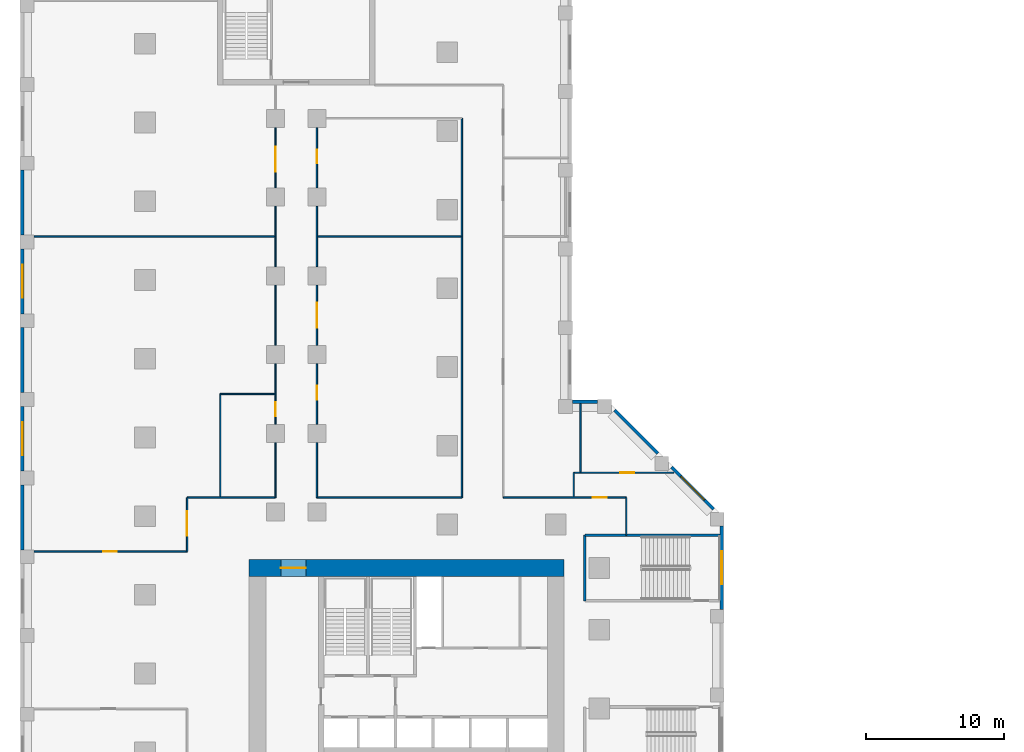
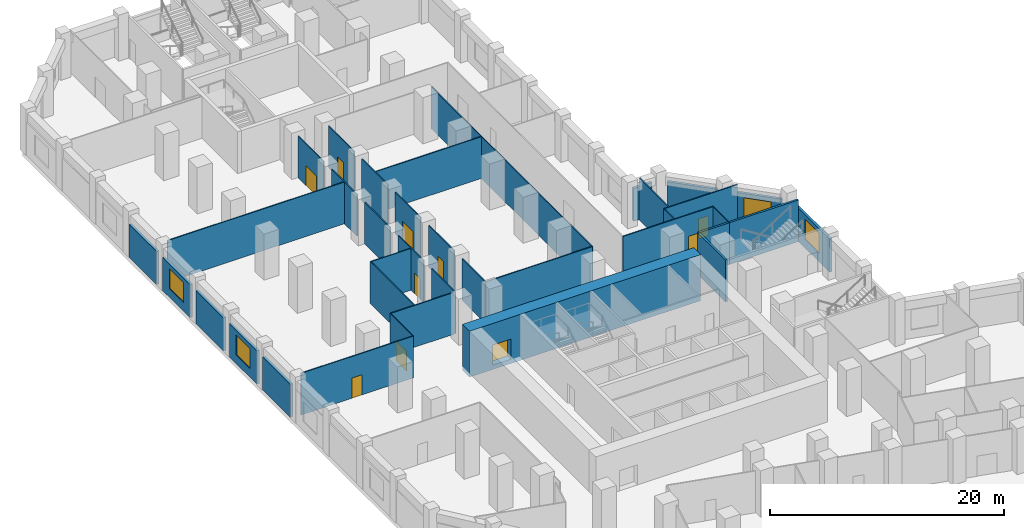
# One storey, part 8 of 15: 37 walls, 10 doors, 4 windows, 14 openings.
"""IFC4 building model written with IfcOpenShell, lengths in metres."""

from ifc_helpers import new_model, si_unit, direction, frame, frame_2d, origin, place, context, subcontext, project, spatial, rectangle, extrude, material, layer, layer_set, type_object, element, fill, save


model = new_model("IFC4")

# Units and contexts
model_context = context("Model", 3, precision=1e-05, world=origin(), true_north=direction((0.0, 1.0)))
body_context = subcontext(model_context, "Body", "Model", "MODEL_VIEW")
ifc_project = project(units=[si_unit("LENGTHUNIT", "METRE"), si_unit("AREAUNIT", "SQUARE_METRE"), si_unit("VOLUMEUNIT", "CUBIC_METRE"), si_unit("PLANEANGLEUNIT", "RADIAN"), si_unit("MASSUNIT", "GRAM", prefix="KILO")], contexts=[model_context])

# Site, building, storey
site_placement = place(None, origin())
site = spatial("IfcSite", under=ifc_project, at=site_placement, CompositionType="ELEMENT")
building_placement = place(site_placement, origin())
building = spatial("IfcBuilding", under=site, at=building_placement, Name="Meshkara Civic Tower", CompositionType="ELEMENT")
storey_placement = place(building_placement, frame((0.0, 0.0, 23.39990234375)))
storey = spatial("IfcBuildingStorey", under=building, at=storey_placement, Name="L04", CompositionType="ELEMENT", Elevation=23.39990234375)

# Wall, opening, door
ifc_material_1 = material(Name="Concrete C80", Category="concrete")
ifc_layer_1 = layer(ifc_material_1, 1.199951171875)
ifc_layer_set_1 = layer_set([ifc_layer_1], Name="Core ring wall 1200 C80")
wall_type_1 = type_object("IfcWallType", Name="Core ring wall 1200 C80", PredefinedType="SHEAR", material=ifc_layer_set_1)
wall_1_placement = place(storey_placement, frame((8.0, 36.300048828125, -0.449951171875), z_axis=(0.0, 0.0, 1.0), x_axis=(1.0, 0.0, 0.0)))
wall_1 = element("IfcWall", 1, at=wall_1_placement, inside=storey, type_object=wall_type_1, Name="L04-C002", PredefinedType="SHEAR", context=body_context, shape_type="SweptSolid", body=[
    extrude(rectangle(XDim=22.800048828125, YDim=1.199951171875, at=frame_2d((11.39990234375, 0.0))), origin(), (0.0, 0.0, 1.0), 4.800048828125),
])
opening_1_placement = place(wall_1_placement, frame((2.300048828125, 0.0, 0.449951171875)))
opening_1 = element("IfcOpeningElement", 2, at=opening_1_placement, cuts=wall_1, Name="Opening L04-K019", PredefinedType="OPENING", context=body_context, shape_type="SweptSolid", body=[
    extrude(rectangle(XDim=1.800048828125, YDim=2.10009765625, at=frame_2d((0.89990234375, 1.050048828125))), frame((0.0, 0.60986328125, 0.0), z_axis=(0.0, -1.0, 0.0), x_axis=(1.0, 0.0, 0.0)), (0.0, 0.0, 1.0), 1.219970703125),
])
ifc_material_2 = material(Name="Fire-rated door leaf in steel frame", Category="steel")
door_type_1 = type_object("IfcDoorType", Name="Core double door 1800 EI 60", OperationType="DOUBLE_DOOR_SINGLE_SWING", PredefinedType="DOOR", material=ifc_material_2)
door_1_placement = place(opening_1_placement, origin())
door_1 = element("IfcDoor", 3, at=door_1_placement, inside=storey, type_object=door_type_1, Name="L04-K019", OperationType="DOUBLE_DOOR_SINGLE_SWING", OverallHeight=2.10009765625, OverallWidth=1.800048828125, PredefinedType="DOOR", context=body_context, shape_type="SweptSolid", body=[
    extrude(rectangle(XDim=1.800048828125, YDim=2.10009765625, at=frame_2d((0.89990234375, 1.050048828125))), frame((0.0, 0.02490234375, 0.0), z_axis=(0.0, -1.0, 0.0), x_axis=(1.0, 0.0, 0.0)), (0.0, 0.0, 1.0), 0.050048828125),
])
fill(opening_1, door_1)

ifc_material_3 = material(Name="Corridor wall 100")
ifc_layer_2 = layer(ifc_material_3, 0.10009765625)
ifc_layer_set_2 = layer_set([ifc_layer_2], Name="Corridor wall 100")
wall_type_2 = type_object("IfcWallType", Name="Corridor wall 100", PredefinedType="PARTITIONING", material=ifc_layer_set_2)
wall_2_placement = place(storey_placement, frame((3.5, 37.5, 0.0), z_axis=(0.0, 0.0, 1.0), x_axis=(-1.0, 0.0, 0.0)))
wall_2 = element("IfcWall", 4, at=wall_2_placement, inside=storey, type_object=wall_type_2, Name="L04-R010", PredefinedType="PARTITIONING", context=body_context, shape_type="SweptSolid", body=[
    extrude(rectangle(XDim=11.080078125, YDim=0.10009765625, at=frame_2d((5.5400390625, 0.0))), origin(), (0.0, 0.0, 1.0), 4.35009765625),
])
opening_2_placement = place(wall_2_placement, frame((5.080078125, 0.0, 0.0)))
opening_2 = element("IfcOpeningElement", 5, at=opening_2_placement, cuts=wall_2, Name="Opening L04-P024", PredefinedType="OPENING", context=body_context, shape_type="SweptSolid", body=[
    extrude(rectangle(XDim=1.0, YDim=2.10009765625, at=frame_2d((0.5, 1.050048828125))), frame((0.0, 0.06005859375, 0.0), z_axis=(0.0, -1.0, 0.0), x_axis=(1.0, 0.0, 0.0)), (0.0, 0.0, 1.0), 0.1201171875),
])
ifc_material_4 = material(Name="Door 1000 x 2100")
door_type_2 = type_object("IfcDoorType", Name="Door 1000 x 2100", OperationType="SINGLE_SWING_LEFT", PredefinedType="DOOR", material=ifc_material_4)
door_2_placement = place(opening_2_placement, origin())
door_2 = element("IfcDoor", 6, at=door_2_placement, inside=storey, type_object=door_type_2, Name="L04-P024", OperationType="SINGLE_SWING_LEFT", OverallHeight=2.10009765625, OverallWidth=1.0, PredefinedType="DOOR", context=body_context, shape_type="SweptSolid", body=[
    extrude(rectangle(XDim=1.0, YDim=2.10009765625, at=frame_2d((0.5, 1.050048828125))), frame((0.0, 0.02490234375, 0.0), z_axis=(0.0, -1.0, 0.0), x_axis=(1.0, 0.0, 0.0)), (0.0, 0.0, 1.0), 0.050048828125),
])
fill(opening_2, door_2)

# Wall
wall_3_placement = place(storey_placement, frame((3.5, 41.39990234375, 0.0), z_axis=(0.0, 0.0, 1.0), x_axis=(1.0, 0.0, 0.0)))
element("IfcWall", 7, at=wall_3_placement, inside=storey, type_object=wall_type_2, Name="L04-R011", PredefinedType="PARTITIONING", context=body_context, shape_type="SweptSolid", body=[
    extrude(rectangle(XDim=6.39990234375, YDim=0.10009765625, at=frame_2d((3.199951171875, 0.0))), origin(), (0.0, 0.0, 1.0), 4.35009765625),
])

# Wall, opening, door
wall_4_placement = place(storey_placement, frame((3.5, 41.39990234375, 0.0), z_axis=(0.0, 0.0, 1.0), x_axis=(0.0, -1.0, 0.0)))
wall_4 = element("IfcWall", 8, at=wall_4_placement, inside=storey, type_object=wall_type_2, Name="L04-R012", PredefinedType="PARTITIONING", context=body_context, shape_type="SweptSolid", body=[
    extrude(rectangle(XDim=3.89990234375, YDim=0.10009765625, at=frame_2d((1.949951171875, 0.0))), origin(), (0.0, 0.0, 1.0), 4.35009765625),
])
opening_3_placement = place(wall_4_placement, frame((0.97998046875, 0.0, 0.0)))
opening_3 = element("IfcOpeningElement", 9, at=opening_3_placement, cuts=wall_4, Name="Opening L04-P025", PredefinedType="OPENING", context=body_context, shape_type="SweptSolid", body=[
    extrude(rectangle(XDim=1.800048828125, YDim=2.10009765625, at=frame_2d((0.89990234375, 1.050048828125))), frame((0.0, 0.06005859375, 0.0), z_axis=(0.0, -1.0, 0.0), x_axis=(1.0, 0.0, 0.0)), (0.0, 0.0, 1.0), 0.1201171875),
])
ifc_material_5 = material(Name="Door pair 1800 x 2100")
door_type_3 = type_object("IfcDoorType", Name="Door pair 1800 x 2100", OperationType="SINGLE_SWING_LEFT", PredefinedType="DOOR", material=ifc_material_5)
door_3_placement = place(opening_3_placement, origin())
door_3 = element("IfcDoor", 10, at=door_3_placement, inside=storey, type_object=door_type_3, Name="L04-P025", OperationType="DOUBLE_DOOR_SINGLE_SWING", OverallHeight=2.10009765625, OverallWidth=1.800048828125, PredefinedType="DOOR", context=body_context, shape_type="SweptSolid", body=[
    extrude(rectangle(XDim=1.800048828125, YDim=2.10009765625, at=frame_2d((0.89990234375, 1.050048828125))), frame((0.0, 0.02490234375, 0.0), z_axis=(0.0, -1.0, 0.0), x_axis=(1.0, 0.0, 0.0)), (0.0, 0.0, 1.0), 0.050048828125),
])
fill(opening_3, door_3)

# Wall
wall_5_placement = place(storey_placement, frame((9.89990234375, 45.3798828125, 0.0), z_axis=(0.0, 0.0, 1.0), x_axis=(0.0, -1.0, 0.0)))
element("IfcWall", 11, at=wall_5_placement, inside=storey, type_object=wall_type_2, Name="L04-R015", PredefinedType="PARTITIONING", context=body_context, shape_type="SweptSolid", body=[
    extrude(rectangle(XDim=3.97998046875, YDim=0.10009765625, at=frame_2d((1.989990234375, 0.0))), origin(), (0.0, 0.0, 1.0), 4.35009765625),
])

# Wall, opening, door
wall_6_placement = place(storey_placement, frame((9.89990234375, 46.719970703125, 0.0), z_axis=(0.0, 0.0, 1.0), x_axis=(0.0, 1.0, 0.0)))
wall_6 = element("IfcWall", 12, at=wall_6_placement, inside=storey, type_object=wall_type_2, Name="L04-R016", PredefinedType="PARTITIONING", context=body_context, shape_type="SweptSolid", body=[
    extrude(rectangle(XDim=4.360107421875, YDim=0.10009765625, at=frame_2d((2.18017578125, 0.0))), origin(), (0.0, 0.0, 1.0), 4.35009765625),
])
opening_4_placement = place(wall_6_placement, frame((0.580078125, 0.0, 0.0)))
opening_4 = element("IfcOpeningElement", 13, at=opening_4_placement, cuts=wall_6, Name="Opening L04-P027", PredefinedType="OPENING", context=body_context, shape_type="SweptSolid", body=[
    extrude(rectangle(XDim=1.0, YDim=2.10009765625, at=frame_2d((0.5, 1.050048828125))), frame((0.0, 0.06005859375, 0.0), z_axis=(0.0, -1.0, 0.0), x_axis=(1.0, 0.0, 0.0)), (0.0, 0.0, 1.0), 0.1201171875),
])
door_4_placement = place(opening_4_placement, origin())
door_4 = element("IfcDoor", 14, at=door_4_placement, inside=storey, type_object=door_type_2, Name="L04-P027", OperationType="SINGLE_SWING_RIGHT", OverallHeight=2.10009765625, OverallWidth=1.0, PredefinedType="DOOR", context=body_context, shape_type="SweptSolid", body=[
    extrude(rectangle(XDim=1.0, YDim=2.10009765625, at=frame_2d((0.5, 1.050048828125))), frame((0.0, 0.02490234375, 0.0), z_axis=(0.0, -1.0, 0.0), x_axis=(1.0, 0.0, 0.0)), (0.0, 0.0, 1.0), 0.050048828125),
])
fill(opening_4, door_4)

# Walls
wall_7_placement = place(storey_placement, frame((9.89990234375, 56.780029296875, 0.0), z_axis=(0.0, 0.0, 1.0), x_axis=(0.0, -1.0, 0.0)))
element("IfcWall", 15, at=wall_7_placement, inside=storey, type_object=wall_type_2, Name="L04-R017", PredefinedType="PARTITIONING", context=body_context, shape_type="SweptSolid", body=[
    extrude(rectangle(XDim=4.360107421875, YDim=0.10009765625, at=frame_2d((2.18017578125, 0.0))), origin(), (0.0, 0.0, 1.0), 4.35009765625),
])
wall_8_placement = place(storey_placement, frame((9.89990234375, 62.47998046875, 0.0), z_axis=(0.0, 0.0, 1.0), x_axis=(0.0, -1.0, 0.0)))
element("IfcWall", 16, at=wall_8_placement, inside=storey, type_object=wall_type_2, Name="L04-R018", PredefinedType="PARTITIONING", context=body_context, shape_type="SweptSolid", body=[
    extrude(rectangle(XDim=4.35986328125, YDim=0.10009765625, at=frame_2d((2.179931640625, 0.0))), origin(), (0.0, 0.0, 1.0), 4.35009765625),
])

# Wall, opening, door
wall_9_placement = place(storey_placement, frame((9.89990234375, 68.179931640625, 0.0), z_axis=(0.0, 0.0, 1.0), x_axis=(0.0, -1.0, 0.0)))
wall_9 = element("IfcWall", 17, at=wall_9_placement, inside=storey, type_object=wall_type_2, Name="L04-R019", PredefinedType="PARTITIONING", context=body_context, shape_type="SweptSolid", body=[
    extrude(rectangle(XDim=4.35986328125, YDim=0.10009765625, at=frame_2d((2.179931640625, 0.0))), origin(), (0.0, 0.0, 1.0), 4.35009765625),
])
opening_5_placement = place(wall_9_placement, frame((1.3798828125, 0.0, 0.0)))
opening_5 = element("IfcOpeningElement", 18, at=opening_5_placement, cuts=wall_9, Name="Opening L04-P032", PredefinedType="OPENING", context=body_context, shape_type="SweptSolid", body=[
    extrude(rectangle(XDim=1.800048828125, YDim=2.10009765625, at=frame_2d((0.89990234375, 1.050048828125))), frame((0.0, 0.06005859375, 0.0), z_axis=(0.0, -1.0, 0.0), x_axis=(1.0, 0.0, 0.0)), (0.0, 0.0, 1.0), 0.1201171875),
])
door_5_placement = place(opening_5_placement, origin())
door_5 = element("IfcDoor", 19, at=door_5_placement, inside=storey, type_object=door_type_3, Name="L04-P032", OperationType="DOUBLE_DOOR_SINGLE_SWING", OverallHeight=2.10009765625, OverallWidth=1.800048828125, PredefinedType="DOOR", context=body_context, shape_type="SweptSolid", body=[
    extrude(rectangle(XDim=1.800048828125, YDim=2.10009765625, at=frame_2d((0.89990234375, 1.050048828125))), frame((0.0, 0.02490234375, 0.0), z_axis=(0.0, -1.0, 0.0), x_axis=(1.0, 0.0, 0.0)), (0.0, 0.0, 1.0), 0.050048828125),
])
fill(opening_5, door_5)

# Wall
wall_10_placement = place(storey_placement, frame((12.89990234375, 41.39990234375, 0.0), z_axis=(0.0, 0.0, 1.0), x_axis=(0.0, 1.0, 0.0)))
element("IfcWall", 20, at=wall_10_placement, inside=storey, type_object=wall_type_2, Name="L04-R026", PredefinedType="PARTITIONING", context=body_context, shape_type="SweptSolid", body=[
    extrude(rectangle(XDim=3.97998046875, YDim=0.10009765625, at=frame_2d((1.989990234375, 0.0))), origin(), (0.0, 0.0, 1.0), 4.35009765625),
])

# Wall, opening, door
wall_11_placement = place(storey_placement, frame((12.89990234375, 46.719970703125, 0.0), z_axis=(0.0, 0.0, 1.0), x_axis=(0.0, 1.0, 0.0)))
wall_11 = element("IfcWall", 21, at=wall_11_placement, inside=storey, type_object=wall_type_2, Name="L04-R027", PredefinedType="PARTITIONING", context=body_context, shape_type="SweptSolid", body=[
    extrude(rectangle(XDim=4.360107421875, YDim=0.10009765625, at=frame_2d((2.18017578125, 0.0))), origin(), (0.0, 0.0, 1.0), 4.35009765625),
])
opening_6_placement = place(wall_11_placement, frame((1.780029296875, 0.0, 0.0)))
opening_6 = element("IfcOpeningElement", 22, at=opening_6_placement, cuts=wall_11, Name="Opening L04-P029", PredefinedType="OPENING", context=body_context, shape_type="SweptSolid", body=[
    extrude(rectangle(XDim=1.0, YDim=2.10009765625, at=frame_2d((0.5, 1.050048828125))), frame((0.0, 0.06005859375, 0.0), z_axis=(0.0, -1.0, 0.0), x_axis=(1.0, 0.0, 0.0)), (0.0, 0.0, 1.0), 0.1201171875),
])
door_6_placement = place(opening_6_placement, origin())
door_6 = element("IfcDoor", 23, at=door_6_placement, inside=storey, type_object=door_type_2, Name="L04-P029", OperationType="SINGLE_SWING_RIGHT", OverallHeight=2.10009765625, OverallWidth=1.0, PredefinedType="DOOR", context=body_context, shape_type="SweptSolid", body=[
    extrude(rectangle(XDim=1.0, YDim=2.10009765625, at=frame_2d((0.5, 1.050048828125))), frame((0.0, 0.02490234375, 0.0), z_axis=(0.0, -1.0, 0.0), x_axis=(1.0, 0.0, 0.0)), (0.0, 0.0, 1.0), 0.050048828125),
])
fill(opening_6, door_6)

wall_12_placement = place(storey_placement, frame((12.89990234375, 52.419921875, 0.0), z_axis=(0.0, 0.0, 1.0), x_axis=(0.0, 1.0, 0.0)))
wall_12 = element("IfcWall", 24, at=wall_12_placement, inside=storey, type_object=wall_type_2, Name="L04-R028", PredefinedType="PARTITIONING", context=body_context, shape_type="SweptSolid", body=[
    extrude(rectangle(XDim=4.360107421875, YDim=0.10009765625, at=frame_2d((2.18017578125, 0.0))), origin(), (0.0, 0.0, 1.0), 4.35009765625),
])
opening_7_placement = place(wall_12_placement, frame((1.280029296875, 0.0, 0.0)))
opening_7 = element("IfcOpeningElement", 25, at=opening_7_placement, cuts=wall_12, Name="Opening L04-P031", PredefinedType="OPENING", context=body_context, shape_type="SweptSolid", body=[
    extrude(rectangle(XDim=1.800048828125, YDim=2.10009765625, at=frame_2d((0.89990234375, 1.050048828125))), frame((0.0, 0.06005859375, 0.0), z_axis=(0.0, -1.0, 0.0), x_axis=(1.0, 0.0, 0.0)), (0.0, 0.0, 1.0), 0.1201171875),
])
door_7_placement = place(opening_7_placement, origin())
door_7 = element("IfcDoor", 26, at=door_7_placement, inside=storey, type_object=door_type_3, Name="L04-P031", OperationType="DOUBLE_DOOR_SINGLE_SWING", OverallHeight=2.10009765625, OverallWidth=1.800048828125, PredefinedType="DOOR", context=body_context, shape_type="SweptSolid", body=[
    extrude(rectangle(XDim=1.800048828125, YDim=2.10009765625, at=frame_2d((0.89990234375, 1.050048828125))), frame((0.0, 0.02490234375, 0.0), z_axis=(0.0, -1.0, 0.0), x_axis=(1.0, 0.0, 0.0)), (0.0, 0.0, 1.0), 0.050048828125),
])
fill(opening_7, door_7)

# Wall
wall_13_placement = place(storey_placement, frame((12.89990234375, 62.47998046875, 0.0), z_axis=(0.0, 0.0, 1.0), x_axis=(0.0, -1.0, 0.0)))
element("IfcWall", 27, at=wall_13_placement, inside=storey, type_object=wall_type_2, Name="L04-R029", PredefinedType="PARTITIONING", context=body_context, shape_type="SweptSolid", body=[
    extrude(rectangle(XDim=4.35986328125, YDim=0.10009765625, at=frame_2d((2.179931640625, 0.0))), origin(), (0.0, 0.0, 1.0), 4.35009765625),
])

# Wall, opening, door
wall_14_placement = place(storey_placement, frame((12.89990234375, 63.820068359375, 0.0), z_axis=(0.0, 0.0, 1.0), x_axis=(0.0, 1.0, 0.0)))
wall_14 = element("IfcWall", 28, at=wall_14_placement, inside=storey, type_object=wall_type_2, Name="L04-R030", PredefinedType="PARTITIONING", context=body_context, shape_type="SweptSolid", body=[
    extrude(rectangle(XDim=4.35986328125, YDim=0.10009765625, at=frame_2d((2.179931640625, 0.0))), origin(), (0.0, 0.0, 1.0), 4.35009765625),
])
opening_8_placement = place(wall_14_placement, frame((1.780029296875, 0.0, 0.0)))
opening_8 = element("IfcOpeningElement", 29, at=opening_8_placement, cuts=wall_14, Name="Opening L04-P034", PredefinedType="OPENING", context=body_context, shape_type="SweptSolid", body=[
    extrude(rectangle(XDim=1.0, YDim=2.10009765625, at=frame_2d((0.5, 1.050048828125))), frame((0.0, 0.06005859375, 0.0), z_axis=(0.0, -1.0, 0.0), x_axis=(1.0, 0.0, 0.0)), (0.0, 0.0, 1.0), 0.1201171875),
])
door_8_placement = place(opening_8_placement, origin())
door_8 = element("IfcDoor", 30, at=door_8_placement, inside=storey, type_object=door_type_2, Name="L04-P034", OperationType="SINGLE_SWING_LEFT", OverallHeight=2.10009765625, OverallWidth=1.0, PredefinedType="DOOR", context=body_context, shape_type="SweptSolid", body=[
    extrude(rectangle(XDim=1.0, YDim=2.10009765625, at=frame_2d((0.5, 1.050048828125))), frame((0.0, 0.02490234375, 0.0), z_axis=(0.0, -1.0, 0.0), x_axis=(1.0, 0.0, 0.0)), (0.0, 0.0, 1.0), 0.050048828125),
])
fill(opening_8, door_8)

# Walls
wall_15_placement = place(storey_placement, frame((23.39990234375, 41.39990234375, 0.0), z_axis=(0.0, 0.0, 1.0), x_axis=(-1.0, 0.0, 0.0)))
element("IfcWall", 31, at=wall_15_placement, inside=storey, type_object=wall_type_2, Name="L04-R039", PredefinedType="PARTITIONING", context=body_context, shape_type="SweptSolid", body=[
    extrude(rectangle(XDim=10.5, YDim=0.10009765625, at=frame_2d((5.25, 0.0))), origin(), (0.0, 0.0, 1.0), 4.35009765625),
])
wall_16_placement = place(storey_placement, frame((23.39990234375, 68.8701171875, 0.0), z_axis=(0.0, 0.0, 1.0), x_axis=(0.0, -1.0, 0.0)))
element("IfcWall", 32, at=wall_16_placement, inside=storey, type_object=wall_type_2, Name="L04-R040", PredefinedType="PARTITIONING", context=body_context, shape_type="SweptSolid", body=[
    extrude(rectangle(XDim=27.47021484375, YDim=0.10009765625, at=frame_2d((13.735107421875, 0.0))), origin(), (0.0, 0.0, 1.0), 4.35009765625),
])

# Wall, opening, door
wall_17_placement = place(storey_placement, frame((26.39990234375, 41.39990234375, 0.0), z_axis=(0.0, 0.0, 1.0), x_axis=(1.0, 0.0, 0.0)))
wall_17 = element("IfcWall", 33, at=wall_17_placement, inside=storey, type_object=wall_type_2, Name="L04-R042", PredefinedType="PARTITIONING", context=body_context, shape_type="SweptSolid", body=[
    extrude(rectangle(XDim=8.900146484375, YDim=0.10009765625, at=frame_2d((4.4501953125, 0.0))), origin(), (0.0, 0.0, 1.0), 4.35009765625),
])
opening_9_placement = place(wall_17_placement, frame((6.47998046875, 0.0, 0.0)))
opening_9 = element("IfcOpeningElement", 34, at=opening_9_placement, cuts=wall_17, Name="Opening L04-P026", PredefinedType="OPENING", context=body_context, shape_type="SweptSolid", body=[
    extrude(rectangle(XDim=1.0, YDim=2.10009765625, at=frame_2d((0.5, 1.050048828125))), frame((0.0, 0.06005859375, 0.0), z_axis=(0.0, -1.0, 0.0), x_axis=(1.0, 0.0, 0.0)), (0.0, 0.0, 1.0), 0.1201171875),
])
door_9_placement = place(opening_9_placement, origin())
door_9 = element("IfcDoor", 35, at=door_9_placement, inside=storey, type_object=door_type_2, Name="L04-P026", OperationType="SINGLE_SWING_LEFT", OverallHeight=2.10009765625, OverallWidth=1.0, PredefinedType="DOOR", context=body_context, shape_type="SweptSolid", body=[
    extrude(rectangle(XDim=1.0, YDim=2.10009765625, at=frame_2d((0.5, 1.050048828125))), frame((0.0, 0.02490234375, 0.0), z_axis=(0.0, -1.0, 0.0), x_axis=(1.0, 0.0, 0.0)), (0.0, 0.0, 1.0), 0.050048828125),
])
fill(opening_9, door_9)

# Walls
wall_18_placement = place(storey_placement, frame((35.300048828125, 38.675048828125, 0.0), z_axis=(0.0, 0.0, 1.0), x_axis=(0.0, 1.0, 0.0)))
element("IfcWall", 36, at=wall_18_placement, inside=storey, type_object=wall_type_2, Name="L04-R053", PredefinedType="PARTITIONING", context=body_context, shape_type="SweptSolid", body=[
    extrude(rectangle(XDim=2.724853515625, YDim=0.10009765625, at=frame_2d((1.3623046875, 0.0))), origin(), (0.0, 0.0, 1.0), 4.35009765625),
])
ifc_material_6 = material(Name="Stone cladding on insulated backing wall", Category="masonry")
ifc_layer_3 = layer(ifc_material_6, 0.25)
ifc_layer_set_3 = layer_set([ifc_layer_3], Name="PODIUM STONE WALL 250")
wall_type_3 = type_object("IfcWallType", Name="PODIUM STONE WALL 250", PredefinedType="SOLIDWALL", material=ifc_layer_set_3)
wall_19_placement = place(storey_placement, frame((-8.425048828125, 65.111083984375, 0.0), z_axis=(0.0, 0.0, 1.0), x_axis=(0.0, -1.0, 0.0)))
element("IfcWall", 37, at=wall_19_placement, inside=storey, type_object=wall_type_3, Name="Podium external wall", PredefinedType="SOLIDWALL", context=body_context, shape_type="SweptSolid", body=[
    extrude(rectangle(XDim=4.7001953125, YDim=0.25, at=frame_2d((2.35009765625, 0.0))), origin(), (0.0, 0.0, 1.0), 3.4501953125),
])

# Wall, opening, window
wall_20_placement = place(storey_placement, frame((-8.425048828125, 59.410888671875, 0.0), z_axis=(0.0, 0.0, 1.0), x_axis=(0.0, -1.0, 0.0)))
wall_20 = element("IfcWall", 38, at=wall_20_placement, inside=storey, type_object=wall_type_3, Name="Podium external wall", PredefinedType="SOLIDWALL", context=body_context, shape_type="SweptSolid", body=[
    extrude(rectangle(XDim=4.699951171875, YDim=0.25, at=frame_2d((2.35009765625, 0.0))), origin(), (0.0, 0.0, 1.0), 3.4501953125),
])
opening_10_placement = place(wall_20_placement, frame((1.14990234375, 0.0, 0.89990234375)))
opening_10 = element("IfcOpeningElement", 39, at=opening_10_placement, cuts=wall_20, Name="Opening PW10", PredefinedType="OPENING", context=body_context, shape_type="SweptSolid", body=[
    extrude(rectangle(XDim=2.39990234375, YDim=2.10009765625, at=frame_2d((1.199951171875, 1.050048828125))), frame((0.0, 0.135009765625, 0.0), z_axis=(0.0, -1.0, 0.0), x_axis=(1.0, 0.0, 0.0)), (0.0, 0.0, 1.0), 0.27001953125),
])
ifc_material_7 = material(Name="Tinted double glazing", Category="glass")
window_type = type_object("IfcWindowType", Name="PODIUM WINDOW 2400x2100", PartitioningType="DOUBLE_PANEL_VERTICAL", PredefinedType="WINDOW", material=ifc_material_7)
window_1_placement = place(opening_10_placement, origin())
window_1 = element("IfcWindow", 40, at=window_1_placement, inside=storey, type_object=window_type, Name="Podium window", OverallHeight=2.10009765625, OverallWidth=2.39990234375, PartitioningType="DOUBLE_PANEL_VERTICAL", PredefinedType="WINDOW", context=body_context, shape_type="SweptSolid", body=[
    extrude(rectangle(XDim=2.39990234375, YDim=2.10009765625, at=frame_2d((1.199951171875, 1.050048828125))), frame((0.0, 0.030029296875, 0.0), z_axis=(0.0, -1.0, 0.0), x_axis=(1.0, 0.0, 0.0)), (0.0, 0.0, 1.0), 0.06005859375),
])
fill(opening_10, window_1)

# Wall
wall_21_placement = place(storey_placement, frame((-8.425048828125, 53.7109375, 0.0), z_axis=(0.0, 0.0, 1.0), x_axis=(0.0, -1.0, 0.0)))
element("IfcWall", 41, at=wall_21_placement, inside=storey, type_object=wall_type_3, Name="Podium external wall", PredefinedType="SOLIDWALL", context=body_context, shape_type="SweptSolid", body=[
    extrude(rectangle(XDim=4.699951171875, YDim=0.25, at=frame_2d((2.35009765625, 0.0))), origin(), (0.0, 0.0, 1.0), 3.4501953125),
])

# Wall, opening, window
wall_22_placement = place(storey_placement, frame((-8.425048828125, 48.010986328125, 0.0), z_axis=(0.0, 0.0, 1.0), x_axis=(0.0, -1.0, 0.0)))
wall_22 = element("IfcWall", 42, at=wall_22_placement, inside=storey, type_object=wall_type_3, Name="Podium external wall", PredefinedType="SOLIDWALL", context=body_context, shape_type="SweptSolid", body=[
    extrude(rectangle(XDim=4.699951171875, YDim=0.25, at=frame_2d((2.35009765625, 0.0))), origin(), (0.0, 0.0, 1.0), 3.4501953125),
])
opening_11_placement = place(wall_22_placement, frame((1.14990234375, 0.0, 0.89990234375)))
opening_11 = element("IfcOpeningElement", 43, at=opening_11_placement, cuts=wall_22, Name="Opening PW10", PredefinedType="OPENING", context=body_context, shape_type="SweptSolid", body=[
    extrude(rectangle(XDim=2.39990234375, YDim=2.10009765625, at=frame_2d((1.199951171875, 1.050048828125))), frame((0.0, 0.135009765625, 0.0), z_axis=(0.0, -1.0, 0.0), x_axis=(1.0, 0.0, 0.0)), (0.0, 0.0, 1.0), 0.27001953125),
])
window_2_placement = place(opening_11_placement, origin())
window_2 = element("IfcWindow", 44, at=window_2_placement, inside=storey, type_object=window_type, Name="Podium window", OverallHeight=2.10009765625, OverallWidth=2.39990234375, PartitioningType="DOUBLE_PANEL_VERTICAL", PredefinedType="WINDOW", context=body_context, shape_type="SweptSolid", body=[
    extrude(rectangle(XDim=2.39990234375, YDim=2.10009765625, at=frame_2d((1.199951171875, 1.050048828125))), frame((0.0, 0.030029296875, 0.0), z_axis=(0.0, -1.0, 0.0), x_axis=(1.0, 0.0, 0.0)), (0.0, 0.0, 1.0), 0.06005859375),
])
fill(opening_11, window_2)

# Wall
wall_23_placement = place(storey_placement, frame((-8.425048828125, 42.31103515625, 0.0), z_axis=(0.0, 0.0, 1.0), x_axis=(0.0, -1.0, 0.0)))
element("IfcWall", 45, at=wall_23_placement, inside=storey, type_object=wall_type_3, Name="Podium external wall", PredefinedType="SOLIDWALL", context=body_context, shape_type="SweptSolid", body=[
    extrude(rectangle(XDim=4.699951171875, YDim=0.25, at=frame_2d((2.35009765625, 0.0))), origin(), (0.0, 0.0, 1.0), 3.4501953125),
])

# Wall, opening, window
wall_24_placement = place(storey_placement, frame((42.22509765625, 33.299072265625, 0.0), z_axis=(0.0, 0.0, 1.0), x_axis=(0.0, 1.0, 0.0)))
wall_24 = element("IfcWall", 46, at=wall_24_placement, inside=storey, type_object=wall_type_3, Name="Podium external wall", PredefinedType="SOLIDWALL", context=body_context, shape_type="SweptSolid", body=[
    extrude(rectangle(XDim=6.036865234375, YDim=0.25, at=frame_2d((3.0185546875, 0.0))), origin(), (0.0, 0.0, 1.0), 3.4501953125),
])
opening_12_placement = place(wall_24_placement, frame((1.819091796875, 0.0, 0.89990234375)))
opening_12 = element("IfcOpeningElement", 47, at=opening_12_placement, cuts=wall_24, Name="Opening PW10", PredefinedType="OPENING", context=body_context, shape_type="SweptSolid", body=[
    extrude(rectangle(XDim=2.39990234375, YDim=2.10009765625, at=frame_2d((1.199951171875, 1.050048828125))), frame((0.0, 0.135009765625, 0.0), z_axis=(0.0, -1.0, 0.0), x_axis=(1.0, 0.0, 0.0)), (0.0, 0.0, 1.0), 0.27001953125),
])
window_3_placement = place(opening_12_placement, origin())
window_3 = element("IfcWindow", 48, at=window_3_placement, inside=storey, type_object=window_type, Name="Podium window", OverallHeight=2.10009765625, OverallWidth=2.39990234375, PartitioningType="DOUBLE_PANEL_VERTICAL", PredefinedType="WINDOW", context=body_context, shape_type="SweptSolid", body=[
    extrude(rectangle(XDim=2.39990234375, YDim=2.10009765625, at=frame_2d((1.199951171875, 1.050048828125))), frame((0.0, 0.030029296875, 0.0), z_axis=(0.0, -1.0, 0.0), x_axis=(1.0, 0.0, 0.0)), (0.0, 0.0, 1.0), 0.06005859375),
])
fill(opening_12, window_3)

wall_25_placement = place(storey_placement, frame((41.6298828125, 40.56591796875, 0.0), z_axis=(0.0, 0.0, 1.0), x_axis=(-0.707078301545, 0.707135259681, 0.0)))
wall_25 = element("IfcWall", 49, at=wall_25_placement, inside=storey, type_object=wall_type_3, Name="Podium external wall", PredefinedType="SOLIDWALL", context=body_context, shape_type="SweptSolid", body=[
    extrude(rectangle(XDim=4.286376953125, YDim=0.25, at=frame_2d((2.14306640625, 0.0))), origin(), (0.0, 0.0, 1.0), 3.4501953125),
])
opening_13_placement = place(wall_25_placement, frame((0.943115234375, 0.0, 0.89990234375)))
opening_13 = element("IfcOpeningElement", 50, at=opening_13_placement, cuts=wall_25, Name="Opening PW10", PredefinedType="OPENING", context=body_context, shape_type="SweptSolid", body=[
    extrude(rectangle(XDim=2.39990234375, YDim=2.10009765625, at=frame_2d((1.199951171875, 1.050048828125))), frame((0.0, 0.135009765625, 0.0), z_axis=(0.0, -1.0, 0.0), x_axis=(1.0, 0.0, 0.0)), (0.0, 0.0, 1.0), 0.27001953125),
])
window_4_placement = place(opening_13_placement, origin())
window_4 = element("IfcWindow", 51, at=window_4_placement, inside=storey, type_object=window_type, Name="Podium window", OverallHeight=2.10009765625, OverallWidth=2.39990234375, PartitioningType="DOUBLE_PANEL_VERTICAL", PredefinedType="WINDOW", context=body_context, shape_type="SweptSolid", body=[
    extrude(rectangle(XDim=2.39990234375, YDim=2.10009765625, at=frame_2d((1.199951171875, 1.050048828125))), frame((0.0, 0.030029296875, 0.0), z_axis=(0.0, -1.0, 0.0), x_axis=(1.0, 0.0, 0.0)), (0.0, 0.0, 1.0), 0.06005859375),
])
fill(opening_13, window_4)

# Walls
wall_26_placement = place(storey_placement, frame((37.59912109375, 44.596923828125, 0.0), z_axis=(0.0, 0.0, 1.0), x_axis=(-0.707106781187, 0.707106781187, 0.0)))
element("IfcWall", 52, at=wall_26_placement, inside=storey, type_object=wall_type_3, Name="Podium external wall", PredefinedType="SOLIDWALL", context=body_context, shape_type="SweptSolid", body=[
    extrude(rectangle(XDim=4.430908203125, YDim=0.25, at=frame_2d((2.21533203125, 0.0))), origin(), (0.0, 0.0, 1.0), 3.4501953125),
])
wall_27_placement = place(storey_placement, frame((33.236083984375, 48.324951171875, 0.0), z_axis=(0.0, 0.0, 1.0), x_axis=(-1.0, 0.0, 0.0)))
element("IfcWall", 53, at=wall_27_placement, inside=storey, type_object=wall_type_3, Name="Podium external wall", PredefinedType="SOLIDWALL", context=body_context, shape_type="SweptSolid", body=[
    extrude(rectangle(XDim=1.836181640625, YDim=0.25, at=frame_2d((0.91796875, 0.0))), origin(), (0.0, 0.0, 1.0), 3.4501953125),
])
ifc_material_8 = material(Name="Partition 100")
ifc_layer_4 = layer(ifc_material_8, 0.10009765625)
ifc_layer_set_4 = layer_set([ifc_layer_4], Name="Partition 100")
wall_type_4 = type_object("IfcWallType", Name="Partition 100", PredefinedType="PARTITIONING", material=ifc_layer_set_4)
wall_28_placement = place(storey_placement, frame((5.89990234375, 48.89990234375, 0.0), z_axis=(0.0, 0.0, 1.0), x_axis=(0.0, -1.0, 0.0)))
element("IfcWall", 54, at=wall_28_placement, inside=storey, type_object=wall_type_4, Name="L04-R086", PredefinedType="PARTITIONING", context=body_context, shape_type="SweptSolid", body=[
    extrude(rectangle(XDim=7.449951171875, YDim=0.10009765625, at=frame_2d((3.72509765625, 0.0))), origin(), (0.0, 0.0, 1.0), 4.35009765625),
])
wall_29_placement = place(storey_placement, frame((9.85009765625, 48.89990234375, 0.0), z_axis=(0.0, 0.0, 1.0), x_axis=(-1.0, 0.0, 0.0)))
element("IfcWall", 55, at=wall_29_placement, inside=storey, type_object=wall_type_4, Name="L04-R087", PredefinedType="PARTITIONING", context=body_context, shape_type="SweptSolid", body=[
    extrude(rectangle(XDim=3.9501953125, YDim=0.10009765625, at=frame_2d((1.97509765625, 0.0))), origin(), (0.0, 0.0, 1.0), 4.35009765625),
])
wall_30_placement = place(storey_placement, frame((9.85009765625, 60.300048828125, 0.0), z_axis=(0.0, 0.0, 1.0), x_axis=(-1.0, 0.0, 0.0)))
element("IfcWall", 56, at=wall_30_placement, inside=storey, type_object=wall_type_4, Name="L04-R088", PredefinedType="PARTITIONING", context=body_context, shape_type="SweptSolid", body=[
    extrude(rectangle(XDim=17.43017578125, YDim=0.10009765625, at=frame_2d((8.715087890625, 0.0))), origin(), (0.0, 0.0, 1.0), 4.35009765625),
])
wall_31_placement = place(storey_placement, frame((23.35009765625, 60.300048828125, 0.0), z_axis=(0.0, 0.0, 1.0), x_axis=(-1.0, 0.0, 0.0)))
element("IfcWall", 57, at=wall_31_placement, inside=storey, type_object=wall_type_4, Name="L04-R090", PredefinedType="PARTITIONING", context=body_context, shape_type="SweptSolid", body=[
    extrude(rectangle(XDim=10.400146484375, YDim=0.10009765625, at=frame_2d((5.2001953125, 0.0))), origin(), (0.0, 0.0, 1.0), 4.35009765625),
])
wall_32_placement = place(storey_placement, frame((31.5, 41.449951171875, 0.0), z_axis=(0.0, 0.0, 1.0), x_axis=(0.0, 1.0, 0.0)))
element("IfcWall", 58, at=wall_32_placement, inside=storey, type_object=wall_type_4, Name="L04-R095", PredefinedType="PARTITIONING", context=body_context, shape_type="SweptSolid", body=[
    extrude(rectangle(XDim=1.75, YDim=0.10009765625, at=frame_2d((0.875, 0.0))), origin(), (0.0, 0.0, 1.0), 4.35009765625),
])

# Wall, opening, door
wall_33_placement = place(storey_placement, frame((31.5, 43.199951171875, 0.0), z_axis=(0.0, 0.0, 1.0), x_axis=(1.0, 0.0, 0.0)))
wall_33 = element("IfcWall", 59, at=wall_33_placement, inside=storey, type_object=wall_type_4, Name="L04-R096", PredefinedType="PARTITIONING", context=body_context, shape_type="SweptSolid", body=[
    extrude(rectangle(XDim=7.248046875, YDim=0.10009765625, at=frame_2d((3.6240234375, 0.0))), origin(), (0.0, 0.0, 1.0), 4.35009765625),
])
opening_14_placement = place(wall_33_placement, frame((3.3740234375, 0.0, 0.0)))
opening_14 = element("IfcOpeningElement", 60, at=opening_14_placement, cuts=wall_33, Name="Opening L04-P028", PredefinedType="OPENING", context=body_context, shape_type="SweptSolid", body=[
    extrude(rectangle(XDim=1.0, YDim=2.10009765625, at=frame_2d((0.5, 1.050048828125))), frame((0.0, 0.06005859375, 0.0), z_axis=(0.0, -1.0, 0.0), x_axis=(1.0, 0.0, 0.0)), (0.0, 0.0, 1.0), 0.1201171875),
])
door_10_placement = place(opening_14_placement, origin())
door_10 = element("IfcDoor", 61, at=door_10_placement, inside=storey, type_object=door_type_2, Name="L04-P028", OperationType="SINGLE_SWING_LEFT", OverallHeight=2.10009765625, OverallWidth=1.0, PredefinedType="DOOR", context=body_context, shape_type="SweptSolid", body=[
    extrude(rectangle(XDim=1.0, YDim=2.10009765625, at=frame_2d((0.5, 1.050048828125))), frame((0.0, 0.02490234375, 0.0), z_axis=(0.0, -1.0, 0.0), x_axis=(1.0, 0.0, 0.0)), (0.0, 0.0, 1.0), 0.050048828125),
])
fill(opening_14, door_10)

# Walls
wall_34_placement = place(storey_placement, frame((32.0, 43.25, 0.0), z_axis=(0.0, 0.0, 1.0), x_axis=(0.0, 1.0, 0.0)))
element("IfcWall", 62, at=wall_34_placement, inside=storey, type_object=wall_type_4, Name="L04-R097", PredefinedType="PARTITIONING", context=body_context, shape_type="SweptSolid", body=[
    extrude(rectangle(XDim=4.949951171875, YDim=0.10009765625, at=frame_2d((2.47509765625, 0.0))), origin(), (0.0, 0.0, 1.0), 4.35009765625),
])
ifc_material_9 = material(Name="Concrete C40/50", Category="concrete")
ifc_layer_5 = layer(ifc_material_9, 0.199951171875)
ifc_layer_set_5 = layer_set([ifc_layer_5], Name="Stair enclosure wall 200 C40/50")
wall_type_5 = type_object("IfcWallType", Name="Stair enclosure wall 200 C40/50", PredefinedType="SOLIDWALL", material=ifc_layer_set_5)
wall_35_placement = place(storey_placement, frame((32.300048828125, 33.925048828125, 0.0), z_axis=(0.0, 0.0, 1.0), x_axis=(0.0, 1.0, 0.0)))
element("IfcWall", 63, at=wall_35_placement, inside=storey, type_object=wall_type_5, Name="L04-R047", PredefinedType="SOLIDWALL", context=body_context, shape_type="SweptSolid", body=[
    extrude(rectangle(XDim=4.75, YDim=0.199951171875, at=frame_2d((2.375, 0.0))), origin(), (0.0, 0.0, 1.0), 4.35009765625),
])
wall_36_placement = place(storey_placement, frame((32.300048828125, 38.675048828125, 0.0), z_axis=(0.0, 0.0, 1.0), x_axis=(1.0, 0.0, 0.0)))
element("IfcWall", 64, at=wall_36_placement, inside=storey, type_object=wall_type_5, Name="L04-R048", PredefinedType="SOLIDWALL", context=body_context, shape_type="SweptSolid", body=[
    extrude(rectangle(XDim=3.0, YDim=0.199951171875, at=frame_2d((1.5, 0.0))), origin(), (0.0, 0.0, 1.0), 4.35009765625),
])
wall_37_placement = place(storey_placement, frame((42.10009765625, 38.675048828125, 0.0), z_axis=(0.0, 0.0, 1.0), x_axis=(-1.0, 0.0, 0.0)))
element("IfcWall", 65, at=wall_37_placement, inside=storey, type_object=wall_type_5, Name="L04-R103", PredefinedType="SOLIDWALL", context=body_context, shape_type="SweptSolid", body=[
    extrude(rectangle(XDim=6.800048828125, YDim=0.199951171875, at=frame_2d((3.39990234375, 0.0))), origin(), (0.0, 0.0, 1.0), 4.35009765625),
])

save(model, "model.ifc")
